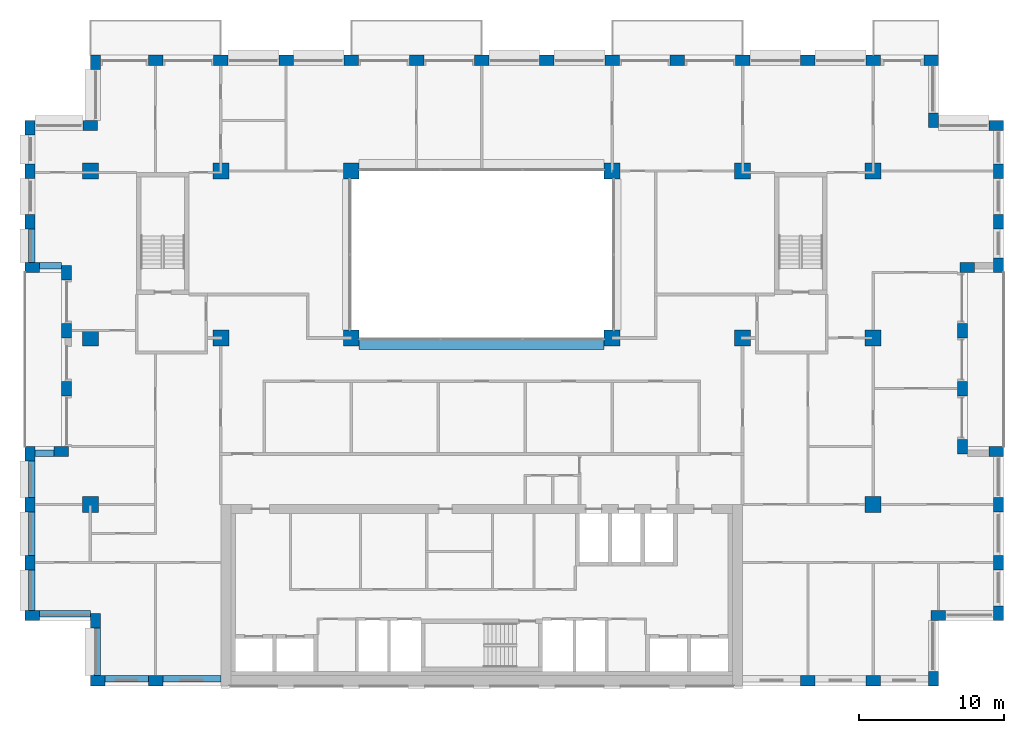
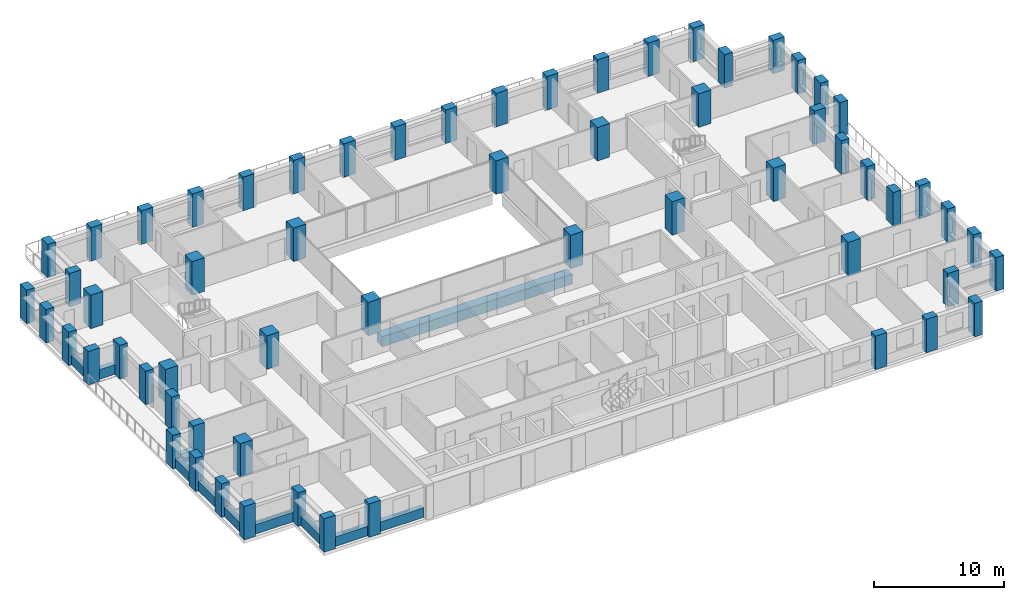
# One storey, part 1 of 15: 61 columns, 11 beams.
"""IFC4 building model written with IfcOpenShell, lengths in metres."""

import ifcopenshell
import ifcopenshell.guid

model = None  # the IFC model being written
_history = None  # IfcOwnerHistory: only IFC2X3 demands one
_inside = {}  # id of a spatial element -> (the spatial element, [elements in it])
_under = {}  # id of a project, library or spatial element -> (it, [spatial elements below it])
_declared = {}  # id of a project -> (the project, [libraries it declares])
_typed = {}  # id of a type object -> (the type object, [elements of that type])
_made_of = {}  # id of a material, layer set ... -> (it, [elements and type objects made of it])


def new_model(schema):
    """Start an empty IFC model of exactly this schema.

    Asked for "IFC4X3", IfcOpenShell would pick the latest addendum, in which some entities
    have other attributes; the version numbers below select the first issue.
    IFC2X3 requires an IfcOwnerHistory on every rooted entity: one is made here for all.
    """
    global model, _history
    if schema == "IFC4X3":
        model = ifcopenshell.file(schema_version=(4, 3, 0, 0))
    else:
        model = ifcopenshell.file(schema=schema)
    _inside.clear()
    _under.clear()
    _declared.clear()
    _typed.clear()
    _made_of.clear()
    _history = None
    if model.schema == "IFC2X3":
        org = make("IfcOrganization", Name="unknown")
        user = make(
            "IfcPersonAndOrganization",
            ThePerson=make("IfcPerson", FamilyName="unknown"),
            TheOrganization=org,
        )
        app = make(
            "IfcApplication",
            ApplicationDeveloper=org,
            Version="unknown",
            ApplicationFullName="unknown",
            ApplicationIdentifier="unknown",
        )
        _history = make(
            "IfcOwnerHistory",
            OwningUser=user,
            OwningApplication=app,
            ChangeAction="ADDED",
            CreationDate=0,
        )
    return model


def make(cls, **values):
    """One entity of the class cls with the attributes given. An attribute that is None is left unset."""
    return model.create_entity(
        cls, **{name: value for name, value in values.items() if value is not None}
    )


def rooted(cls, **values):
    """An entity with a GlobalId (a new one), such as an element, a storey or a relation."""
    return make(cls, GlobalId=ifcopenshell.guid.new(), OwnerHistory=_history, **values)


def si_unit(unit_type, name, prefix=None):
    """IfcSIUnit, for example si_unit("LENGTHUNIT", "METRE", prefix="MILLI")."""
    return make("IfcSIUnit", UnitType=unit_type, Prefix=prefix, Name=name)


def assignment(units):
    """IfcUnitAssignment: the units of a project."""
    return None if units is None else make("IfcUnitAssignment", Units=units)


def point(xyz):
    """IfcCartesianPoint."""
    return None if xyz is None else make("IfcCartesianPoint", Coordinates=xyz)


def direction(xyz):
    """IfcDirection."""
    return None if xyz is None else make("IfcDirection", DirectionRatios=xyz)


def frame(location, z_axis=None, x_axis=None):
    """IfcAxis2Placement3D, a coordinate frame: its origin and axes. An axis left out is left unset."""
    return make(
        "IfcAxis2Placement3D",
        Location=point(location),
        Axis=direction(z_axis),
        RefDirection=direction(x_axis),
    )


def frame_2d(location, x_axis=None):
    """IfcAxis2Placement2D, a coordinate frame in the plane: its origin and x axis."""
    return make(
        "IfcAxis2Placement2D", Location=point(location), RefDirection=direction(x_axis)
    )


def origin():
    """The frame at (0, 0, 0) with its axes left unset."""
    return frame((0.0, 0.0, 0.0))


def origin_2d():
    """The frame at (0, 0) in the plane with its x axis left unset."""
    return frame_2d((0.0, 0.0))


def place(relative_to, where):
    """IfcLocalPlacement: puts the frame where relative to a parent placement (None: the world)."""
    return make(
        "IfcLocalPlacement", PlacementRelTo=relative_to, RelativePlacement=where
    )


def context(
    kind, dimensions, precision=None, world=None, true_north=None, identifier=None
):
    """IfcGeometricRepresentationContext, for example the 3D "Model" context."""
    return make(
        "IfcGeometricRepresentationContext",
        ContextIdentifier=identifier,
        ContextType=kind,
        CoordinateSpaceDimension=dimensions,
        Precision=precision,
        WorldCoordinateSystem=world,
        TrueNorth=true_north,
    )


def subcontext(parent, identifier, kind, view, scale=None):
    """IfcGeometricRepresentationSubContext, for example "Body" below "Model"."""
    return make(
        "IfcGeometricRepresentationSubContext",
        ContextIdentifier=identifier,
        ContextType=kind,
        ParentContext=parent,
        TargetScale=scale,
        TargetView=view,
    )


def project(units=None, contexts=None):
    """IfcProject with its units and contexts."""
    return rooted(
        "IfcProject",
        Name="project",
        RepresentationContexts=contexts,
        UnitsInContext=assignment(units),
    )


def spatial(cls, under=None, at=None, **own):
    """A site, building, storey or space (cls), placed at a placement, below another one or the project."""
    s = rooted(cls, ObjectPlacement=at, **own)
    if under is not None:
        _under.setdefault(under.id(), (under, []))[1].append(s)
    return s


def profile(cls, at=None, kind="AREA", **sizes):
    """A parametric profile (cls). Its sizes go by their IFC names, for example OverallWidth=200.0."""
    return make(cls, ProfileType=kind, Position=at, **sizes)


def rectangle(**sizes):
    """IfcRectangleProfileDef."""
    return profile("IfcRectangleProfileDef", **sizes)


def extrude(swept, where, along, depth):
    """IfcExtrudedAreaSolid: the profile swept, set in the frame where, extruded along a direction by depth."""
    return make(
        "IfcExtrudedAreaSolid",
        SweptArea=swept,
        Position=where,
        ExtrudedDirection=direction(along),
        Depth=depth,
    )


def shape(context_of_items, identifier, shape_type, items):
    """IfcShapeRepresentation: the items that make up one representation, for example the "Body"."""
    return make(
        "IfcShapeRepresentation",
        ContextOfItems=context_of_items,
        RepresentationIdentifier=identifier,
        RepresentationType=shape_type,
        Items=items,
    )


def material(Name=None, Category=None):
    """IfcMaterial."""
    return make("IfcMaterial", Name=Name, Category=Category)


def material_profile(
    of_material, cross_section, Name=None, Category=None, Priority=None
):
    """IfcMaterialProfile: a cross section and its material."""
    return make(
        "IfcMaterialProfile",
        Name=Name,
        Material=of_material,
        Profile=cross_section,
        Priority=Priority,
        Category=Category,
    )


def profile_set(profiles, Name=None, composite=None):
    """IfcMaterialProfileSet."""
    return make(
        "IfcMaterialProfileSet",
        Name=Name,
        MaterialProfiles=profiles,
        CompositeProfile=composite,
    )


def made_of(thing, what):
    """Note that an element or type object is made of a material, layer set ...; save() writes the relation."""
    if what is not None:
        _made_of.setdefault(what.id(), (what, []))[1].append(thing)
    return thing


def type_object(cls, material=None, **own):
    """A type object (cls), such as IfcWallType, which elements share."""
    return made_of(rooted(cls, **own), material)


def element(
    cls,
    number,
    at=None,
    inside=None,
    cuts=None,
    type_object=None,
    material=None,
    context=None,
    identifier="Body",
    shape_type=None,
    held_by="IfcProductDefinitionShape",
    body=None,
    shapes=None,
    **own,
):
    """One element of the class cls, such as IfcWall. Its Tag is "e" and its number.

    at: its placement. inside: the storey or other place that contains it. cuts: it is an
    opening in that element (IfcRelVoidsElement). A single representation is given by context,
    identifier, shape_type and body (its items); several are given by shapes. held_by: the class
    of the entity that holds the representations. save() writes the other relations.
    """
    e = rooted(cls, Tag="e%d" % number, ObjectPlacement=at, **own)
    if body is not None:
        shapes = [shape(context, identifier, shape_type, body)]
    if shapes is not None:
        e.Representation = make(held_by, Representations=shapes)
    if inside is not None:
        _inside.setdefault(inside.id(), (inside, []))[1].append(e)
    if cuts is not None:
        rooted(
            "IfcRelVoidsElement", RelatingBuildingElement=cuts, RelatedOpeningElement=e
        )
    if type_object is not None:
        _typed.setdefault(type_object.id(), (type_object, []))[1].append(e)
    return made_of(e, material)


def aggregate(whole, parts):
    """IfcRelAggregates: a whole, such as a stair, and the parts it consists of."""
    return rooted("IfcRelAggregates", RelatingObject=whole, RelatedObjects=parts)


def save(model, path):
    """Write the relations noted so far, then the file.

    IfcRelAggregates (storeys below a building ...), IfcRelContainedInSpatialStructure (elements
    in a storey), IfcRelDefinesByType, IfcRelAssociatesMaterial and IfcRelDeclares: one each for
    every whole, place, type object, material and project.
    """
    for whole, parts in _under.values():
        aggregate(whole, parts)
    for where, things in _inside.values():
        rooted(
            "IfcRelContainedInSpatialStructure",
            RelatedElements=things,
            RelatingStructure=where,
        )
    for kind, things in _typed.values():
        rooted("IfcRelDefinesByType", RelatedObjects=things, RelatingType=kind)
    for what, things in _made_of.values():
        rooted("IfcRelAssociatesMaterial", RelatedObjects=things, RelatingMaterial=what)
    for by, libraries in _declared.values():
        rooted("IfcRelDeclares", RelatingContext=by, RelatedDefinitions=libraries)
    model.write(path)


model = new_model("IFC4")

# Units and contexts
model_context = context("Model", 3, precision=1e-05, world=origin(), true_north=direction((0.0, 1.0)))
body_context = subcontext(model_context, "Body", "Model", "MODEL_VIEW")
ifc_project = project(units=[si_unit("LENGTHUNIT", "METRE"), si_unit("AREAUNIT", "SQUARE_METRE"), si_unit("VOLUMEUNIT", "CUBIC_METRE"), si_unit("PLANEANGLEUNIT", "RADIAN"), si_unit("MASSUNIT", "GRAM", prefix="KILO")], contexts=[model_context])

# Site, building, storey
site_placement = place(None, origin())
site = spatial("IfcSite", under=ifc_project, at=site_placement, CompositionType="ELEMENT")
building_placement = place(site_placement, origin())
building = spatial("IfcBuilding", under=site, at=building_placement, Name="Brigalow Station Residences", CompositionType="ELEMENT")
storey_placement = place(building_placement, frame((0.0, 0.0, 147.60009765625)))
storey = spatial("IfcBuildingStorey", under=building, at=storey_placement, Name="L42", CompositionType="ELEMENT", Elevation=147.60009765625)

# Columns
ifc_material_1 = material(Name="Concrete C65", Category="concrete")
ifc_material_profile_1 = material_profile(ifc_material_1, rectangle(XDim=1.10009765625, YDim=1.10009765625, at=origin_2d()), Name="RC1100x1100")
ifc_profile_set_1 = profile_set([ifc_material_profile_1], Name="Concrete C65")
column_type_1 = type_object("IfcColumnType", Name="COLUMN 1100x1100 C65", PredefinedType="COLUMN", material=ifc_profile_set_1)
for number, where, z_axis, x_axis, name in (
    (1, (9.0, 24.0, 0.0), (0.0, 0.0, 1.0), (1.0, 0.0, 0.0), "COLUMN C1 L42"),
    (2, (18.0, 24.0, 0.0), (0.0, 0.0, 1.0), (1.0, 0.0, 0.0), "COLUMN C2 L42"),
    (3, (27.0, 24.0, 0.0), (0.0, 0.0, 1.0), (1.0, 0.0, 0.0), "COLUMN C3 L42"),
    (4, (45.0, 24.0, 0.0), (0.0, 0.0, 1.0), (1.0, 0.0, 0.0), "COLUMN C5 L42"),
    (5, (54.0, 24.0, 0.0), (0.0, 0.0, 1.0), (1.0, 0.0, 0.0), "COLUMN C6 L42"),
    (6, (63.0, 24.0, 0.0), (0.0, 0.0, 1.0), (1.0, 0.0, 0.0), "COLUMN C7 L42"),
    (7, (9.0, 35.5, 0.0), (0.0, 0.0, 1.0), (1.0, 0.0, 0.0), "COLUMN D1 L42"),
    (8, (18.0, 35.5, 0.0), (0.0, 0.0, 1.0), (1.0, 0.0, 0.0), "COLUMN D2 L42"),
    (9, (27.0, 35.5, 0.0), (0.0, 0.0, 1.0), (1.0, 0.0, 0.0), "COLUMN D3 L42"),
    (10, (45.0, 35.5, 0.0), (0.0, 0.0, 1.0), (1.0, 0.0, 0.0), "COLUMN D5 L42"),
    (11, (54.0, 35.5, 0.0), (0.0, 0.0, 1.0), (1.0, 0.0, 0.0), "COLUMN D6 L42"),
    (12, (63.0, 35.5, 0.0), (0.0, 0.0, 1.0), (1.0, 0.0, 0.0), "COLUMN D7 L42"),
    (13, (9.0, 12.5, 0.0), (0.0, 0.0, 1.0), (1.0, 0.0, 0.0), "COLUMN B1 L42"),
    (14, (63.0, 12.5, 0.0), (0.0, 0.0, 1.0), (1.0, 0.0, 0.0), "COLUMN B7 L42"),
):
    element("IfcColumn", number, at=place(storey_placement, frame(where, z_axis=z_axis, x_axis=x_axis)), inside=storey, type_object=column_type_1, Name=name, PredefinedType="COLUMN", context=body_context, shape_type="SweptSolid", body=[
        extrude(rectangle(XDim=1.10009765625, YDim=1.10009765625, at=origin_2d()), origin(), (0.0, 0.0, 1.0), 3.14990234375),
    ])
ifc_material_2 = material(Name="Concrete C65", Category="concrete")
ifc_material_profile_2 = material_profile(ifc_material_2, rectangle(XDim=1.0, YDim=0.699951171875, at=origin_2d()), Name="RC1000x700")
ifc_profile_set_2 = profile_set([ifc_material_profile_2], Name="Concrete C65")
column_type_2 = type_object("IfcColumnType", Name="PIER 1000x700 C65", PredefinedType="USERDEFINED", material=ifc_profile_set_2)
for number, where, z_axis, x_axis, name in (
    (15, (9.5, 0.35009765625, 0.0), (0.0, 0.0, 1.0), (1.0, 0.0, 0.0), "PIER S-1 L42"),
    (16, (13.5, 0.35009765625, 0.0), (0.0, 0.0, 1.0), (1.0, 0.0, 0.0), "PIER S-2 L42"),
    (17, (58.5, 0.35009765625, 0.0), (0.0, 0.0, 1.0), (1.0, 0.0, 0.0), "PIER S-12 L42"),
    (18, (63.0, 0.35009765625, 0.0), (0.0, 0.0, 1.0), (1.0, 0.0, 0.0), "PIER S-13 L42"),
    (19, (67.14990234375, 0.5, 0.0), (0.0, 0.0, 1.0), (0.0, 1.0, 0.0), "PIER SE1-1 L42"),
    (20, (67.5, 4.85009765625, 0.0), (0.0, 0.0, 1.0), (1.0, 0.0, 0.0), "PIER SE2-1 L42"),
    (21, (71.64990234375, 5.0, 0.0), (0.0, 0.0, 1.0), (0.0, 1.0, 0.0), "PIER E1-1 L42"),
    (22, (71.64990234375, 8.5, 0.0), (0.0, 0.0, 1.0), (0.0, 1.0, 0.0), "PIER E1-2 L42"),
    (23, (71.64990234375, 12.5, 0.0), (0.0, 0.0, 1.0), (0.0, 1.0, 0.0), "PIER E1-3 L42"),
    (24, (71.5, 16.14990234375, 0.0), (0.0, 0.0, 1.0), (-1.0, 0.0, 0.0), "PIER EL1-1 L42"),
    (25, (69.14990234375, 16.5, 0.0), (0.0, 0.0, 1.0), (0.0, 1.0, 0.0), "PIER EL2-1 L42"),
    (26, (69.14990234375, 20.5, 0.0), (0.0, 0.0, 1.0), (0.0, 1.0, 0.0), "PIER EL2-2 L42"),
    (27, (69.14990234375, 24.5, 0.0), (0.0, 0.0, 1.0), (0.0, 1.0, 0.0), "PIER EL2-3 L42"),
    (28, (69.5, 28.85009765625, 0.0), (0.0, 0.0, 1.0), (1.0, 0.0, 0.0), "PIER EL3-1 L42"),
    (29, (71.64990234375, 29.0, 0.0), (0.0, 0.0, 1.0), (0.0, 1.0, 0.0), "PIER E2-1 L42"),
    (30, (71.64990234375, 32.0, 0.0), (0.0, 0.0, 1.0), (0.0, 1.0, 0.0), "PIER E2-2 L42"),
    (31, (71.64990234375, 35.5, 0.0), (0.0, 0.0, 1.0), (0.0, 1.0, 0.0), "PIER E2-3 L42"),
    (32, (71.5, 38.64990234375, 0.0), (0.0, 0.0, 1.0), (-1.0, 0.0, 0.0), "PIER NE1-1 L42"),
    (33, (67.14990234375, 39.0, 0.0), (0.0, 0.0, 1.0), (0.0, 1.0, 0.0), "PIER NE2-1 L42"),
    (34, (67.0, 43.14990234375, 0.0), (0.0, 0.0, 1.0), (-1.0, 0.0, 0.0), "PIER N-1 L42"),
    (35, (63.0, 43.14990234375, 0.0), (0.0, 0.0, 1.0), (-1.0, 0.0, 0.0), "PIER N-2 L42"),
    (36, (58.5, 43.14990234375, 0.0), (0.0, 0.0, 1.0), (-1.0, 0.0, 0.0), "PIER N-3 L42"),
    (37, (54.0, 43.14990234375, 0.0), (0.0, 0.0, 1.0), (-1.0, 0.0, 0.0), "PIER N-4 L42"),
    (38, (49.5, 43.14990234375, 0.0), (0.0, 0.0, 1.0), (-1.0, 0.0, 0.0), "PIER N-5 L42"),
    (39, (45.0, 43.14990234375, 0.0), (0.0, 0.0, 1.0), (-1.0, 0.0, 0.0), "PIER N-6 L42"),
    (40, (40.5, 43.14990234375, 0.0), (0.0, 0.0, 1.0), (-1.0, 0.0, 0.0), "PIER N-7 L42"),
    (41, (36.0, 43.14990234375, 0.0), (0.0, 0.0, 1.0), (-1.0, 0.0, 0.0), "PIER N-8 L42"),
    (42, (31.5, 43.14990234375, 0.0), (0.0, 0.0, 1.0), (-1.0, 0.0, 0.0), "PIER N-9 L42"),
    (43, (27.0, 43.14990234375, 0.0), (0.0, 0.0, 1.0), (-1.0, 0.0, 0.0), "PIER N-10 L42"),
    (44, (22.5, 43.14990234375, 0.0), (0.0, 0.0, 1.0), (-1.0, 0.0, 0.0), "PIER N-11 L42"),
    (45, (18.0, 43.14990234375, 0.0), (0.0, 0.0, 1.0), (-1.0, 0.0, 0.0), "PIER N-12 L42"),
    (46, (13.5, 43.14990234375, 0.0), (0.0, 0.0, 1.0), (-1.0, 0.0, 0.0), "PIER N-13 L42"),
    (47, (9.35009765625, 43.0, 0.0), (0.0, 0.0, 1.0), (0.0, -1.0, 0.0), "PIER NW1-1 L42"),
    (48, (9.0, 38.64990234375, 0.0), (0.0, 0.0, 1.0), (-1.0, 0.0, 0.0), "PIER NW2-1 L42"),
    (49, (4.85009765625, 38.5, 0.0), (0.0, 0.0, 1.0), (0.0, -1.0, 0.0), "PIER W2-1 L42"),
    (50, (4.85009765625, 35.5, 0.0), (0.0, 0.0, 1.0), (0.0, -1.0, 0.0), "PIER W2-2 L42"),
    (51, (4.85009765625, 32.0, 0.0), (0.0, 0.0, 1.0), (0.0, -1.0, 0.0), "PIER W2-3 L42"),
    (52, (5.0, 28.85009765625, 0.0), (0.0, 0.0, 1.0), (1.0, 0.0, 0.0), "PIER WL1-1 L42"),
    (53, (7.35009765625, 28.5, 0.0), (0.0, 0.0, 1.0), (0.0, -1.0, 0.0), "PIER WL2-1 L42"),
    (54, (7.35009765625, 24.5, 0.0), (0.0, 0.0, 1.0), (0.0, -1.0, 0.0), "PIER WL2-2 L42"),
    (55, (7.35009765625, 20.5, 0.0), (0.0, 0.0, 1.0), (0.0, -1.0, 0.0), "PIER WL2-3 L42"),
    (56, (7.0, 16.14990234375, 0.0), (0.0, 0.0, 1.0), (-1.0, 0.0, 0.0), "PIER WL3-1 L42"),
    (57, (4.85009765625, 16.0, 0.0), (0.0, 0.0, 1.0), (0.0, -1.0, 0.0), "PIER W1-1 L42"),
    (58, (4.85009765625, 12.5, 0.0), (0.0, 0.0, 1.0), (0.0, -1.0, 0.0), "PIER W1-2 L42"),
    (59, (4.85009765625, 8.5, 0.0), (0.0, 0.0, 1.0), (0.0, -1.0, 0.0), "PIER W1-3 L42"),
    (60, (5.0, 4.85009765625, 0.0), (0.0, 0.0, 1.0), (1.0, 0.0, 0.0), "PIER SW1-1 L42"),
    (61, (9.35009765625, 4.5, 0.0), (0.0, 0.0, 1.0), (0.0, -1.0, 0.0), "PIER SW2-1 L42"),
):
    element("IfcColumn", number, at=place(storey_placement, frame(where, z_axis=z_axis, x_axis=x_axis)), inside=storey, type_object=column_type_2, Name=name, ObjectType="PIER", PredefinedType="USERDEFINED", context=body_context, shape_type="SweptSolid", body=[
        extrude(rectangle(XDim=1.0, YDim=0.699951171875, at=origin_2d()), origin(), (0.0, 0.0, 1.0), 3.14990234375),
    ])

# Beams
ifc_material_3 = material(Name="Concrete C65", Category="concrete")
ifc_material_profile_3 = material_profile(ifc_material_3, rectangle(XDim=0.800048828125, YDim=0.949951171875, at=origin_2d()), Name="RC800x950")
ifc_profile_set_3 = profile_set([ifc_material_profile_3], Name="Concrete C65")
beam_type_1 = type_object("IfcBeamType", Name="ATRIUM EDGE GIRDER OVER 13.5 M SPAN 800x950 C65", PredefinedType="BEAM", material=ifc_profile_set_3)
beam_1_placement = place(storey_placement, frame((27.550048828125, 23.60009765625, -0.795166015625), z_axis=(1.0, 0.0, 0.0), x_axis=(0.0, 1.0, 0.0)))
element("IfcBeam", 62, at=beam_1_placement, inside=storey, type_object=beam_type_1, Name="ATRIUM EDGE GIRDER C L42", PredefinedType="BEAM", context=body_context, shape_type="SweptSolid", body=[
    extrude(rectangle(XDim=0.800048828125, YDim=0.949951171875, at=origin_2d()), origin(), (0.0, 0.0, 1.0), 16.89990234375),
])
ifc_material_4 = material(Name="Concrete C50", Category="concrete")
ifc_material_profile_4 = material_profile(ifc_material_4, rectangle(XDim=0.449951171875, YDim=0.89990234375, at=origin_2d()), Name="RC450x900")
ifc_profile_set_4 = profile_set([ifc_material_profile_4], Name="Concrete C50")
beam_type_2 = type_object("IfcBeamType", Name="SPANDREL BEAM 450x900 C50", PredefinedType="SPANDREL", material=ifc_profile_set_4)
beam_2_placement = place(storey_placement, frame((10.0, 0.47509765625, 0.449951171875), z_axis=(1.0, 0.0, 0.0), x_axis=(0.0, 1.0, 0.0)))
element("IfcBeam", 63, at=beam_2_placement, inside=storey, type_object=beam_type_2, Name="L42/spandrel/W-L42-1", PredefinedType="SPANDREL", context=body_context, shape_type="SweptSolid", body=[
    extrude(rectangle(XDim=0.449951171875, YDim=0.89990234375, at=origin_2d()), origin(), (0.0, 0.0, 1.0), 3.0),
])
beam_3_placement = place(storey_placement, frame((14.0, 0.47509765625, 0.449951171875), z_axis=(1.0, 0.0, 0.0), x_axis=(0.0, 1.0, 0.0)))
element("IfcBeam", 64, at=beam_3_placement, inside=storey, type_object=beam_type_2, Name="L42/spandrel/W-L42-2", PredefinedType="SPANDREL", context=body_context, shape_type="SweptSolid", body=[
    extrude(rectangle(XDim=0.449951171875, YDim=0.89990234375, at=origin_2d()), origin(), (0.0, 0.0, 1.0), 4.0),
])
beam_4_placement = place(storey_placement, frame((4.97509765625, 31.5, 0.449951171875), z_axis=(0.0, -1.0, 0.0), x_axis=(1.0, 0.0, 0.0)))
element("IfcBeam", 65, at=beam_4_placement, inside=storey, type_object=beam_type_2, Name="L42/spandrel/W-L42-39", PredefinedType="SPANDREL", context=body_context, shape_type="SweptSolid", body=[
    extrude(rectangle(XDim=0.449951171875, YDim=0.89990234375, at=origin_2d()), origin(), (0.0, 0.0, 1.0), 2.300048828125),
])
beam_5_placement = place(storey_placement, frame((5.5, 28.97509765625, 0.449951171875), z_axis=(1.0, 0.0, 0.0), x_axis=(0.0, 1.0, 0.0)))
element("IfcBeam", 66, at=beam_5_placement, inside=storey, type_object=beam_type_2, Name="L42/spandrel/W-L42-40", PredefinedType="SPANDREL", context=body_context, shape_type="SweptSolid", body=[
    extrude(rectangle(XDim=0.449951171875, YDim=0.89990234375, at=origin_2d()), origin(), (0.0, 0.0, 1.0), 1.5),
])
beam_6_placement = place(storey_placement, frame((6.5, 16.02490234375, 0.449951171875), z_axis=(-1.0, 0.0, 0.0), x_axis=(0.0, -1.0, 0.0)))
element("IfcBeam", 67, at=beam_6_placement, inside=storey, type_object=beam_type_2, Name="L42/spandrel/W-L42-44", PredefinedType="SPANDREL", context=body_context, shape_type="SweptSolid", body=[
    extrude(rectangle(XDim=0.449951171875, YDim=0.89990234375, at=origin_2d()), origin(), (0.0, 0.0, 1.0), 1.300048828125),
])
beam_7_placement = place(storey_placement, frame((4.97509765625, 15.5, 0.449951171875), z_axis=(0.0, -1.0, 0.0), x_axis=(1.0, 0.0, 0.0)))
element("IfcBeam", 68, at=beam_7_placement, inside=storey, type_object=beam_type_2, Name="L42/spandrel/W-L42-45", PredefinedType="SPANDREL", context=body_context, shape_type="SweptSolid", body=[
    extrude(rectangle(XDim=0.449951171875, YDim=0.89990234375, at=origin_2d()), origin(), (0.0, 0.0, 1.0), 2.5),
])
beam_8_placement = place(storey_placement, frame((4.97509765625, 12.0, 0.449951171875), z_axis=(0.0, -1.0, 0.0), x_axis=(1.0, 0.0, 0.0)))
element("IfcBeam", 69, at=beam_8_placement, inside=storey, type_object=beam_type_2, Name="L42/spandrel/W-L42-46", PredefinedType="SPANDREL", context=body_context, shape_type="SweptSolid", body=[
    extrude(rectangle(XDim=0.449951171875, YDim=0.89990234375, at=origin_2d()), origin(), (0.0, 0.0, 1.0), 3.0),
])
beam_9_placement = place(storey_placement, frame((4.97509765625, 8.0, 0.449951171875), z_axis=(0.0, -1.0, 0.0), x_axis=(1.0, 0.0, 0.0)))
element("IfcBeam", 70, at=beam_9_placement, inside=storey, type_object=beam_type_2, Name="L42/spandrel/W-L42-47", PredefinedType="SPANDREL", context=body_context, shape_type="SweptSolid", body=[
    extrude(rectangle(XDim=0.449951171875, YDim=0.89990234375, at=origin_2d()), origin(), (0.0, 0.0, 1.0), 2.800048828125),
])
beam_10_placement = place(storey_placement, frame((5.5, 4.97509765625, 0.449951171875), z_axis=(1.0, 0.0, 0.0), x_axis=(0.0, 1.0, 0.0)))
element("IfcBeam", 71, at=beam_10_placement, inside=storey, type_object=beam_type_2, Name="L42/spandrel/W-L42-48", PredefinedType="SPANDREL", context=body_context, shape_type="SweptSolid", body=[
    extrude(rectangle(XDim=0.449951171875, YDim=0.89990234375, at=origin_2d()), origin(), (0.0, 0.0, 1.0), 3.5),
])
beam_11_placement = place(storey_placement, frame((9.47509765625, 4.0, 0.449951171875), z_axis=(0.0, -1.0, 0.0), x_axis=(1.0, 0.0, 0.0)))
element("IfcBeam", 72, at=beam_11_placement, inside=storey, type_object=beam_type_2, Name="L42/spandrel/W-L42-49", PredefinedType="SPANDREL", context=body_context, shape_type="SweptSolid", body=[
    extrude(rectangle(XDim=0.449951171875, YDim=0.89990234375, at=origin_2d()), origin(), (0.0, 0.0, 1.0), 3.300048828125),
])

save(model, "model.ifc")
